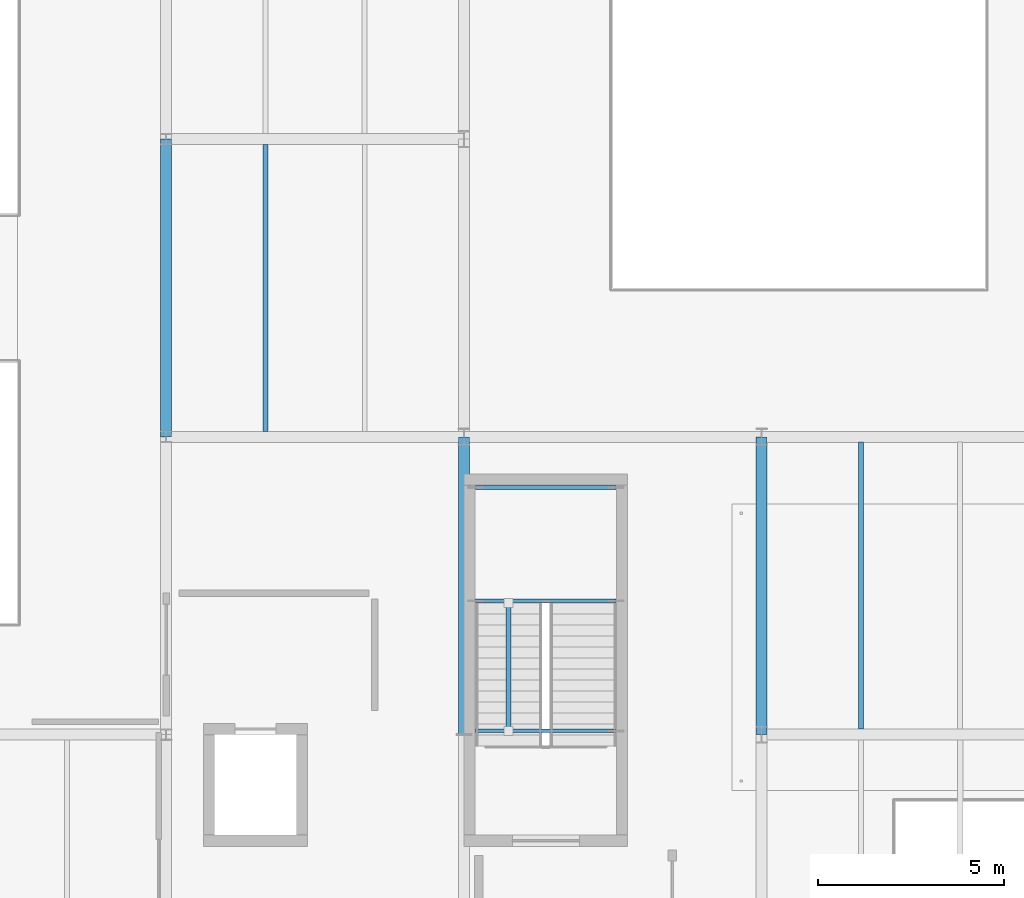
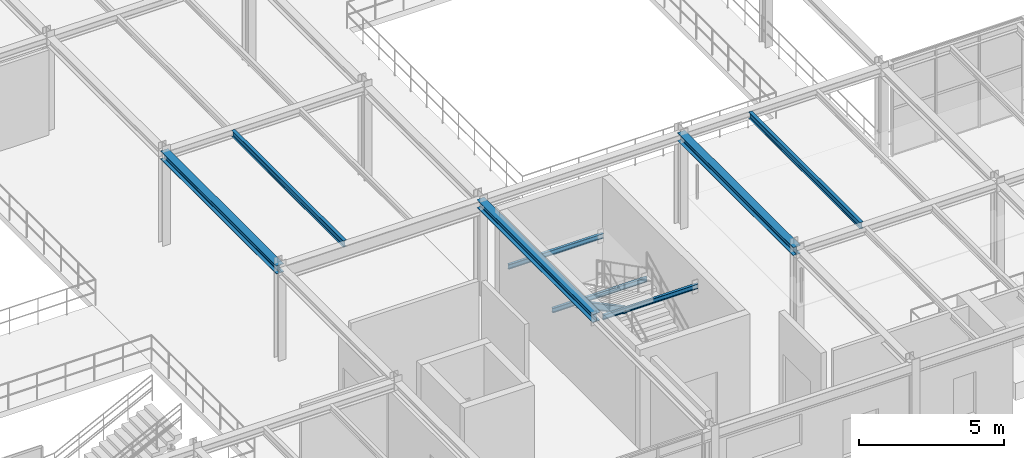
# One storey, part 43 of 124: 8 beams, 1 member.
"""IFC4 building model written with IfcOpenShell, lengths in metres."""

from ifc_helpers import new_model, si_unit, direction, frame, origin, origin_2d, place, context, subcontext, project, spatial, i_section, extrude, material, material_profile, profile_set, type_object, element, save


model = new_model("IFC4")

# Units and contexts
model_context = context("Model", 3, precision=1e-05, world=origin(), true_north=direction((0.0, 1.0)))
body_context = subcontext(model_context, "Body", "Model", "MODEL_VIEW")
ifc_project = project(units=[si_unit("LENGTHUNIT", "METRE"), si_unit("AREAUNIT", "SQUARE_METRE"), si_unit("VOLUMEUNIT", "CUBIC_METRE"), si_unit("PLANEANGLEUNIT", "RADIAN"), si_unit("MASSUNIT", "GRAM", prefix="KILO")], contexts=[model_context])

# Site, building, storey
site_placement = place(None, origin())
site = spatial("IfcSite", under=ifc_project, at=site_placement, CompositionType="ELEMENT")
building_placement = place(site_placement, origin())
building = spatial("IfcBuilding", under=site, at=building_placement, Name="Sundkrona Museum", CompositionType="ELEMENT")
storey_placement = place(building_placement, frame((0.0, 0.0, 17.60009765625)))
storey = spatial("IfcBuildingStorey", under=building, at=storey_placement, Name="L03", CompositionType="ELEMENT", Elevation=17.60009765625)

# Beams
ifc_material = material(Name="Steel S355J2", Category="steel")
ifc_material_profile_1 = material_profile(ifc_material, i_section(OverallWidth=0.300048828125, OverallDepth=0.35009765625, WebThickness=0.010009765625, FlangeThickness=0.017578125, FilletRadius=0.027099609375, at=origin_2d()), Name="HEA 360")
ifc_profile_set_1 = profile_set([ifc_material_profile_1], Name="Steel S355J2")
beam_type_1 = type_object("IfcBeamType", Name="B-HEA360", PredefinedType="BEAM", material=ifc_profile_set_1)
for number, where, z_axis, x_axis, name in (
    (1, (112.0, 16.0, 3.764892578125), (0.0, 1.0, 0.0), (-1.0, 0.0, 0.0), "L03 Girder Y-1619"),
    (2, (120.0, 8.0, 3.764892578125), (0.0, 1.0, 0.0), (-1.0, 0.0, 0.0), "L03 Girder Y-1623"),
    (3, (128.0, 8.0, 3.784912109375), (0.0, 1.0, 0.0), (-1.0, 0.0, 0.0), "L03 Girder Y-1629"),
):
    element("IfcBeam", number, at=place(storey_placement, frame(where, z_axis=z_axis, x_axis=x_axis)), inside=storey, type_object=beam_type_1, Name=name, PredefinedType="BEAM", context=body_context, shape_type="SweptSolid", body=[
        extrude(i_section(OverallWidth=0.300048828125, OverallDepth=0.35009765625, WebThickness=0.010009765625, FlangeThickness=0.017578125, FilletRadius=0.027099609375, at=origin_2d()), origin(), (0.0, 0.0, 1.0), 8.0),
    ])

# Member
ifc_material_profile_2 = material_profile(ifc_material, i_section(OverallWidth=0.135009765625, OverallDepth=0.27001953125, WebThickness=0.006591796875, FlangeThickness=0.01025390625, FilletRadius=0.014892578125, at=origin_2d()), Name="IPE 270")
ifc_profile_set_2 = profile_set([ifc_material_profile_2], Name="Steel S355J2")
member_type = type_object("IfcMemberType", Name="BR-IPE270", PredefinedType="BRACE", material=ifc_profile_set_2)
member_placement = place(storey_placement, frame((121.199951171875, 11.534912109375, 1.77978515625), z_axis=(0.0, -0.882182779908, 0.470907148846), x_axis=(1.0, 0.0, 0.0)))
element("IfcMember", 4, at=member_placement, inside=storey, type_object=member_type, Name="SRK-1 L03 ST-2 Flight 2 Inclined Carriage Raker", PredefinedType="BRACE", context=body_context, shape_type="SweptSolid", body=[
    extrude(i_section(OverallWidth=0.135009765625, OverallDepth=0.27001953125, WebThickness=0.006591796875, FlangeThickness=0.01025390625, FilletRadius=0.014892578125, at=origin_2d()), origin(), (0.0, 0.0, 1.0), 3.8935546875),
])

# Beams
ifc_material_profile_3 = material_profile(ifc_material, i_section(OverallWidth=0.10009765625, OverallDepth=0.199951171875, WebThickness=0.005615234375, FlangeThickness=0.008544921875, FilletRadius=0.011962890625, at=origin_2d()), Name="IPE 200")
ifc_profile_set_3 = profile_set([ifc_material_profile_3], Name="Steel S355J2")
beam_type_2 = type_object("IfcBeamType", Name="J-IPE200", PredefinedType="JOIST", material=ifc_profile_set_3)
for number, where, z_axis, x_axis, name in (
    (5, (120.31005859375, 11.598388671875, 1.77978515625), (1.0, 0.0, 0.0), (0.0, 1.0, 0.0), "L03 ST-2 Mid-Landing Trimmer Beam 1A"),
    (6, (120.31005859375, 14.63671875, 1.77978515625), (1.0, 0.0, 0.0), (0.0, 1.0, 0.0), "L03 ST-2 Mid-Landing Trimmer Beam 1B"),
    (7, (120.31005859375, 8.10009765625, 3.61328125), (1.0, 0.0, 0.0), (0.0, 1.0, 0.0), "L03 ST-2 Flight 2 Arrival Header Beam"),
):
    element("IfcBeam", number, at=place(storey_placement, frame(where, z_axis=z_axis, x_axis=x_axis)), inside=storey, type_object=beam_type_2, Name=name, PredefinedType="JOIST", context=body_context, shape_type="SweptSolid", body=[
        extrude(i_section(OverallWidth=0.10009765625, OverallDepth=0.199951171875, WebThickness=0.005615234375, FlangeThickness=0.008544921875, FilletRadius=0.011962890625, at=origin_2d()), origin(), (0.0, 0.0, 1.0), 3.780029296875),
    ])
ifc_material_profile_4 = material_profile(ifc_material, i_section(OverallWidth=0.135009765625, OverallDepth=0.27001953125, WebThickness=0.006591796875, FlangeThickness=0.01025390625, FilletRadius=0.014892578125, at=origin_2d()), Name="IPE 270")
ifc_profile_set_4 = profile_set([ifc_material_profile_4], Name="Steel S355J2")
beam_type_3 = type_object("IfcBeamType", Name="J-IPE270", PredefinedType="JOIST", material=ifc_profile_set_4)
for number, where, z_axis, x_axis, name in (
    (8, (114.666748046875, 16.14404296875, 3.804931640625), (0.0, 1.0, 0.0), (-1.0, 0.0, 0.0), "L03 Composite Joist 1064"),
    (9, (130.666748046875, 8.14404296875, 3.824951171875), (0.0, 1.0, 0.0), (-1.0, 0.0, 0.0), "L03 Composite Joist 1076"),
):
    element("IfcBeam", number, at=place(storey_placement, frame(where, z_axis=z_axis, x_axis=x_axis)), inside=storey, type_object=beam_type_3, Name=name, PredefinedType="JOIST", context=body_context, shape_type="SweptSolid", body=[
        extrude(i_section(OverallWidth=0.135009765625, OverallDepth=0.27001953125, WebThickness=0.006591796875, FlangeThickness=0.01025390625, FilletRadius=0.014892578125, at=origin_2d()), origin(), (0.0, 0.0, 1.0), 7.7119140625),
    ])

save(model, "model.ifc")
